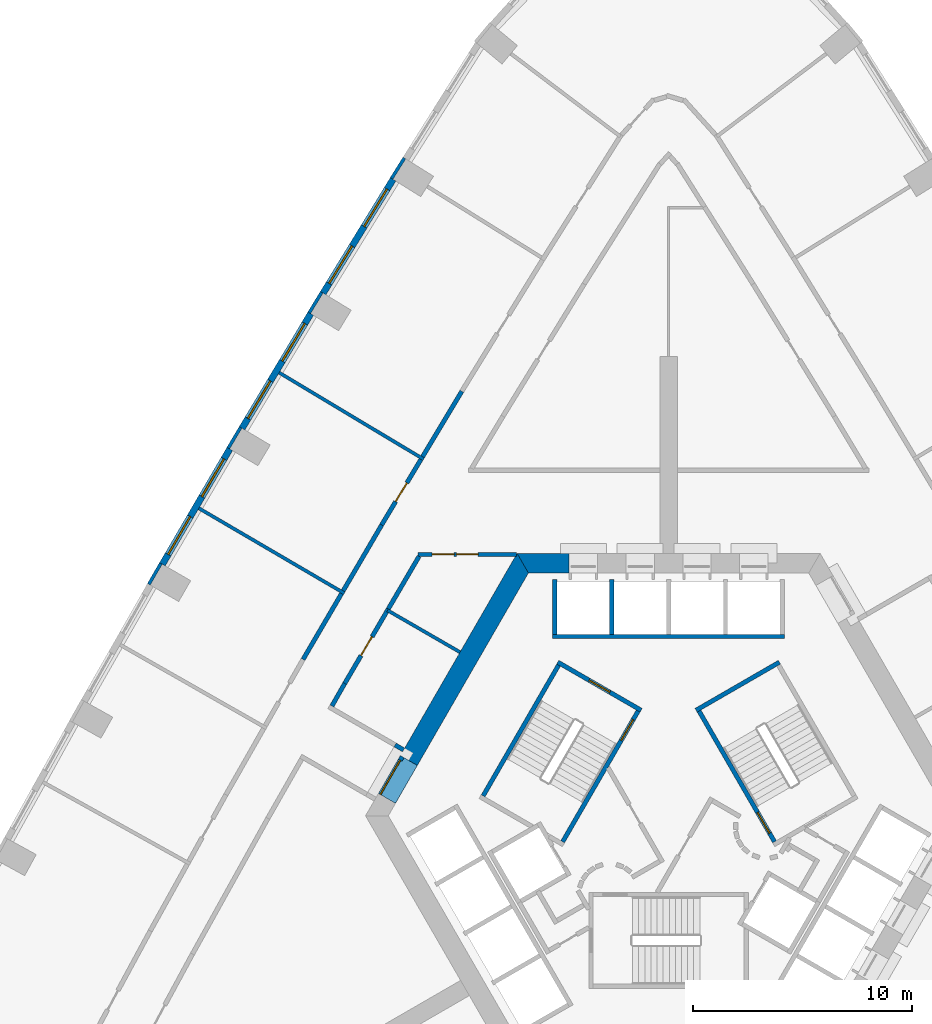
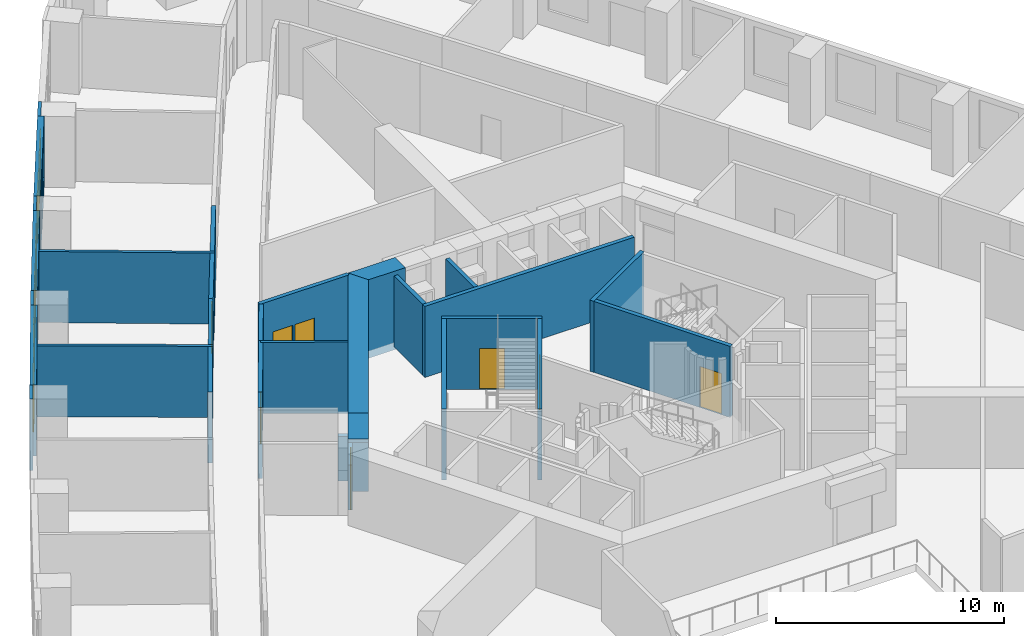
# One storey, part 8 of 15: 31 walls, 8 doors, 6 windows, 14 openings.
"""IFC4 building model written with IfcOpenShell, lengths in metres."""

from ifc_helpers import new_model, si_unit, direction, frame, frame_2d, origin, place, context, subcontext, project, spatial, polyline, rectangle, outline, extrude, material, layer, layer_set, type_object, element, fill, save


model = new_model("IFC4")

# Units and contexts
model_context = context("Model", 3, precision=1e-05, world=origin(), true_north=direction((0.0, 1.0)))
body_context = subcontext(model_context, "Body", "Model", "MODEL_VIEW")
ifc_project = project(units=[si_unit("LENGTHUNIT", "METRE"), si_unit("AREAUNIT", "SQUARE_METRE"), si_unit("VOLUMEUNIT", "CUBIC_METRE"), si_unit("PLANEANGLEUNIT", "RADIAN"), si_unit("MASSUNIT", "GRAM", prefix="KILO")], contexts=[model_context])

# Site, building, storey
site_placement = place(None, origin())
site = spatial("IfcSite", under=ifc_project, at=site_placement, CompositionType="ELEMENT")
building_placement = place(site_placement, origin())
building = spatial("IfcBuilding", under=site, at=building_placement, Name="Entoto Arch Interchange Tower", CompositionType="ELEMENT")
storey_placement = place(building_placement, frame((0.0, 0.0, 111.800048828125)))
storey = spatial("IfcBuildingStorey", under=building, at=storey_placement, Name="L24", CompositionType="ELEMENT", Elevation=111.800048828125)

# Wall, opening, door
ifc_material_1 = material(Name="Reinforced concrete C40/50", Category="concrete")
ifc_layer_1 = layer(ifc_material_1, 0.199951171875)
ifc_layer_set_1 = layer_set([ifc_layer_1], Name="Reinforced concrete C40/50")
wall_type_1 = type_object("IfcWallType", Name="CORE GAP INFILL WALL", PredefinedType="PARTITIONING", material=ifc_layer_set_1)
wall_1_placement = place(storey_placement, frame((-12.179931640625, 5.201904296875, 0.0), z_axis=(0.0, 0.0, 1.0), x_axis=(-0.50002537861, -0.866010750942, 0.0)))
wall_1 = element("IfcWall", 1, at=wall_1_placement, inside=storey, type_object=wall_type_1, Name="wall:L24:gap3", PredefinedType="PARTITIONING", context=body_context, shape_type="SweptSolid", body=[
    extrude(rectangle(XDim=2.0, YDim=0.199951171875, at=frame_2d((1.0, 0.0))), origin(), (0.0, 0.0, 1.0), 2.39990234375),
])
opening_1_placement = place(wall_1_placement, frame((0.18994140625, 0.0, 0.0)))
opening_1 = element("IfcOpeningElement", 2, at=opening_1_placement, cuts=wall_1, Name="Opening L24-D93", PredefinedType="OPENING", context=body_context, shape_type="SweptSolid", body=[
    extrude(rectangle(XDim=1.800048828125, YDim=2.10009765625, at=frame_2d((0.89990234375, 1.050048828125))), frame((0.0, 0.10986328125, 0.0), z_axis=(0.0, -1.0, 0.0), x_axis=(1.0, 0.0, 0.0)), (0.0, 0.0, 1.0), 0.219970703125),
])
ifc_material_2 = material(Name="Fire-rated Steel S235 door and frame", Category="steel")
door_type_1 = type_object("IfcDoorType", Name="DOOR FD-18 1800x2100", OperationType="DOUBLE_DOOR_SINGLE_SWING", PredefinedType="DOOR", material=ifc_material_2)
door_1_placement = place(opening_1_placement, origin())
door_1 = element("IfcDoor", 3, at=door_1_placement, inside=storey, type_object=door_type_1, Name="door:L24:gap3", OperationType="DOUBLE_DOOR_SINGLE_SWING", OverallHeight=2.10009765625, OverallWidth=1.800048828125, PredefinedType="DOOR", context=body_context, shape_type="SweptSolid", body=[
    extrude(rectangle(XDim=1.800048828125, YDim=2.10009765625, at=frame_2d((0.89990234375, 1.050048828125))), frame((0.0, 0.02490234375, 0.0), z_axis=(0.0, -1.0, 0.0), x_axis=(1.0, 0.0, 0.0)), (0.0, 0.0, 1.0), 0.050048828125),
])
fill(opening_1, door_1)

# Walls
ifc_material_3 = material(Name="Concrete C60/75", Category="concrete")
ifc_layer_2 = layer(ifc_material_3, 0.89990234375)
ifc_layer_set_2 = layer_set([ifc_layer_2], Name="Concrete C60/75")
wall_type_2 = type_object("IfcWallType", Name="Core wall 900 C60/75", PredefinedType="SHEAR", material=ifc_layer_set_2)
wall_2_placement = place(storey_placement, frame((0.0, 0.0, -0.400146484375)))
element("IfcWall", 4, at=wall_2_placement, inside=storey, type_object=wall_type_2, Name="Core wall N L24", PredefinedType="SHEAR", context=body_context, shape_type="SweptSolid", body=[
    extrude(outline(polyline([(-4.550048828125, 13.60009765625), (-4.550048828125, 14.5), (-6.927978515625, 14.5), (-6.408935546875, 13.60009765625), (-4.550048828125, 13.60009765625)])), origin(), (0.0, 0.0, 1.0), 4.2001953125),
])
wall_3_placement = place(storey_placement, frame((0.0, 0.0, -0.400146484375)))
element("IfcWall", 5, at=wall_3_placement, inside=storey, type_object=wall_type_2, Name="Core wall NW L24", PredefinedType="SHEAR", context=body_context, shape_type="SweptSolid", body=[
    extrude(outline(polyline([(-12.26708984375, 5.251953125), (-11.488037109375, 4.802001953125), (-6.408935546875, 13.60009765625), (-6.927978515625, 14.5), (-12.26708984375, 5.251953125)])), origin(), (0.0, 0.0, 1.0), 4.2001953125),
])
wall_4_placement = place(storey_placement, frame((0.0, 0.0, 3.599853515625)))
element("IfcWall", 6, at=wall_4_placement, inside=storey, type_object=wall_type_2, Name="Core wall lintel NW L24", PredefinedType="SHEAR", context=body_context, shape_type="SweptSolid", body=[
    extrude(outline(polyline([(-13.26708984375, 3.52001953125), (-12.488037109375, 3.070068359375), (-11.488037109375, 4.802001953125), (-12.26708984375, 5.251953125), (-13.26708984375, 3.52001953125)])), origin(), (0.0, 0.0, 1.0), 0.2001953125),
])
ifc_material_4 = material(Name="Concrete C40/50", Category="concrete")
ifc_layer_3 = layer(ifc_material_4, 0.199951171875)
ifc_layer_set_3 = layer_set([ifc_layer_3], Name="Concrete C40/50")
wall_type_3 = type_object("IfcWallType", Name="LIFT SHAFT WALL 200", PredefinedType="STANDARD", material=ifc_layer_set_3)
wall_5_placement = place(storey_placement, frame((5.300048828125, 10.699951171875, 0.0), z_axis=(0.0, 0.0, 1.0), x_axis=(-1.0, 0.0, 0.0)))
element("IfcWall", 7, at=wall_5_placement, inside=storey, type_object=wall_type_3, Name="Shaft wall N3 front", PredefinedType="STANDARD", context=body_context, shape_type="SweptSolid", body=[
    extrude(rectangle(XDim=10.60009765625, YDim=0.199951171875, at=frame_2d((5.300048828125, 0.0))), origin(), (0.0, 0.0, 1.0), 3.800048828125),
])
for number, where, z_axis, x_axis, name in (
    (8, (-2.60009765625, 10.800048828125, 0.0), (0.0, 0.0, 1.0), (0.0, 1.0, 0.0), "Shaft wall N3 cross 4"),
    (9, (-5.199951171875, 10.800048828125, 0.0), (0.0, 0.0, 1.0), (0.0, 1.0, 0.0), "Shaft wall N3 cross 5"),
):
    element("IfcWall", number, at=place(storey_placement, frame(where, z_axis=z_axis, x_axis=x_axis)), inside=storey, type_object=wall_type_3, Name=name, PredefinedType="STANDARD", context=body_context, shape_type="SweptSolid", body=[
        extrude(rectangle(XDim=2.5, YDim=0.199951171875, at=frame_2d((1.25, 0.0))), origin(), (0.0, 0.0, 1.0), 3.800048828125),
    ])
ifc_material_5 = material(Name="Gypsum board partition on steel studs", Category="steel")
ifc_layer_4 = layer(ifc_material_5, 0.14990234375)
ifc_layer_set_4 = layer_set([ifc_layer_4], Name="Gypsum board partition on steel studs")
wall_type_4 = type_object("IfcWallType", Name="PARTITION 150", PredefinedType="PARTITIONING", material=ifc_layer_set_4)
wall_6_placement = place(storey_placement, frame((-9.537109375, 9.98095703125, 0.0), z_axis=(0.0, 0.0, 1.0), x_axis=(-0.866068787954, 0.499924848885, 0.0)))
element("IfcWall", 10, at=wall_6_placement, inside=storey, type_object=wall_type_4, Name="wall:L24:p089", PredefinedType="PARTITIONING", context=body_context, shape_type="SweptSolid", body=[
    extrude(rectangle(XDim=3.82861328125, YDim=0.14990234375, at=frame_2d((1.914306640625, 0.0))), origin(), (0.0, 0.0, 1.0), 3.800048828125),
])
wall_7_placement = place(storey_placement, frame((-11.201904296875, 18.802978515625, 0.0), z_axis=(0.0, 0.0, 1.0), x_axis=(-0.857778149162, 0.514020084062, 0.0)))
element("IfcWall", 11, at=wall_7_placement, inside=storey, type_object=wall_type_4, Name="wall:L24:p128", PredefinedType="PARTITIONING", context=body_context, shape_type="SweptSolid", body=[
    extrude(rectangle(XDim=7.7001953125, YDim=0.14990234375, at=frame_2d((3.85009765625, 0.0))), origin(), (0.0, 0.0, 1.0), 3.800048828125),
])
wall_8_placement = place(storey_placement, frame((-14.830078125, 12.674072265625, 0.0), z_axis=(0.0, 0.0, 1.0), x_axis=(-0.863237916953, 0.504797284794, 0.0)))
element("IfcWall", 12, at=wall_8_placement, inside=storey, type_object=wall_type_4, Name="wall:L24:p129", PredefinedType="PARTITIONING", context=body_context, shape_type="SweptSolid", body=[
    extrude(rectangle(XDim=7.699951171875, YDim=0.14990234375, at=frame_2d((3.85009765625, 0.0))), origin(), (0.0, 0.0, 1.0), 3.800048828125),
])
ifc_layer_5 = layer(ifc_material_5, 0.199951171875)
ifc_layer_set_5 = layer_set([ifc_layer_5], Name="Gypsum board partition on steel studs")
wall_type_5 = type_object("IfcWallType", Name="PARTITION 200", PredefinedType="PARTITIONING", material=ifc_layer_set_5)
wall_9_placement = place(storey_placement, frame((-11.408935546875, 14.364013671875, 0.0), z_axis=(0.0, 0.0, 1.0), x_axis=(-0.504846343003, -0.863209227219, 0.0)))
element("IfcWall", 13, at=wall_9_placement, inside=storey, type_object=wall_type_5, Name="wall:L24:p001", PredefinedType="PARTITIONING", context=body_context, shape_type="SweptSolid", body=[
    extrude(rectangle(XDim=2.784912109375, YDim=0.199951171875, at=frame_2d((1.392578125, 0.0))), origin(), (0.0, 0.0, 1.0), 3.800048828125),
])

# Wall, opening, door
wall_10_placement = place(storey_placement, frame((-12.81494140625, 11.9599609375, 0.0), z_axis=(0.0, 0.0, 1.0), x_axis=(-0.5048198861, -0.863224699946, 0.0)))
wall_10 = element("IfcWall", 14, at=wall_10_placement, inside=storey, type_object=wall_type_5, Name="wall:L24:p002", PredefinedType="PARTITIONING", context=body_context, shape_type="SweptSolid", body=[
    extrude(rectangle(XDim=3.9501953125, YDim=0.199951171875, at=frame_2d((1.97509765625, 0.0))), origin(), (0.0, 0.0, 1.0), 3.800048828125),
])
opening_2_placement = place(wall_10_placement, frame((1.47509765625, 0.0, 0.0)))
opening_2 = element("IfcOpeningElement", 15, at=opening_2_placement, cuts=wall_10, Name="Opening L24-D25", PredefinedType="OPENING", context=body_context, shape_type="SweptSolid", body=[
    extrude(rectangle(XDim=1.0, YDim=2.10009765625, at=frame_2d((0.5, 1.050048828125))), frame((0.0, 0.10986328125, 0.0), z_axis=(0.0, -1.0, 0.0), x_axis=(1.0, 0.0, 0.0)), (0.0, 0.0, 1.0), 0.219970703125),
])
ifc_material_6 = material(Name="Timber door leaf in Steel S235 frame", Category="steel")
door_type_2 = type_object("IfcDoorType", Name="DOOR DS-10 1000x2100", OperationType="SINGLE_SWING_LEFT", PredefinedType="DOOR", material=ifc_material_6)
door_2_placement = place(opening_2_placement, origin())
door_2 = element("IfcDoor", 16, at=door_2_placement, inside=storey, type_object=door_type_2, Name="door:L24:25", OperationType="SINGLE_SWING_RIGHT", OverallHeight=2.10009765625, OverallWidth=1.0, PredefinedType="DOOR", context=body_context, shape_type="SweptSolid", body=[
    extrude(rectangle(XDim=1.0, YDim=2.10009765625, at=frame_2d((0.5, 1.050048828125))), frame((0.0, 0.02490234375, 0.0), z_axis=(0.0, -1.0, 0.0), x_axis=(1.0, 0.0, 0.0)), (0.0, 0.0, 1.0), 0.050048828125),
])
fill(opening_2, door_2)

# Walls
wall_11_placement = place(storey_placement, frame((-14.80908203125, 8.550048828125, 0.0), z_axis=(0.0, 0.0, 1.0), x_axis=(-0.495074026382, -0.868850797549, 0.0)))
element("IfcWall", 17, at=wall_11_placement, inside=storey, type_object=wall_type_5, Name="wall:L24:p003", PredefinedType="PARTITIONING", context=body_context, shape_type="SweptSolid", body=[
    extrude(rectangle(XDim=1.185546875, YDim=0.199951171875, at=frame_2d((0.5927734375, 0.0))), origin(), (0.0, 0.0, 1.0), 3.800048828125),
])
for number, where, z_axis, x_axis, name in (
    (18, (-11.2490234375, 18.91796875, 0.0), (0.0, 0.0, 1.0), (0.513949903813, 0.857820200491, 0.0), "wall:L24:p058"),
    (19, (-14.87890625, 12.7890625, 0.0), (0.0, 0.0, 1.0), (0.504763220102, 0.863257836126, 0.0), "wall:L24:p060"),
):
    element("IfcWall", number, at=place(storey_placement, frame(where, z_axis=z_axis, x_axis=x_axis)), inside=storey, type_object=wall_type_5, Name=name, PredefinedType="PARTITIONING", context=body_context, shape_type="SweptSolid", body=[
        extrude(rectangle(XDim=3.48681640625, YDim=0.199951171875, at=frame_2d((1.743408203125, 0.0))), origin(), (0.0, 0.0, 1.0), 3.800048828125),
    ])

# Wall, opening, door
wall_12_placement = place(storey_placement, frame((-13.118896484375, 15.799072265625, 0.0), z_axis=(0.0, 0.0, 1.0), x_axis=(0.514155958966, 0.857696712049, 0.0)))
wall_12 = element("IfcWall", 20, at=wall_12_placement, inside=storey, type_object=wall_type_5, Name="wall:L24:p061", PredefinedType="PARTITIONING", context=body_context, shape_type="SweptSolid", body=[
    extrude(rectangle(XDim=3.4873046875, YDim=0.199951171875, at=frame_2d((1.74365234375, 0.0))), origin(), (0.0, 0.0, 1.0), 3.800048828125),
])
opening_3_placement = place(wall_12_placement, frame((1.243896484375, 0.0, 0.0)))
opening_3 = element("IfcOpeningElement", 21, at=opening_3_placement, cuts=wall_12, Name="Opening L24-D11", PredefinedType="OPENING", context=body_context, shape_type="SweptSolid", body=[
    extrude(rectangle(XDim=1.0, YDim=2.10009765625, at=frame_2d((0.5, 1.050048828125))), frame((0.0, 0.10986328125, 0.0), z_axis=(0.0, -1.0, 0.0), x_axis=(1.0, 0.0, 0.0)), (0.0, 0.0, 1.0), 0.219970703125),
])
door_3_placement = place(opening_3_placement, origin())
door_3 = element("IfcDoor", 22, at=door_3_placement, inside=storey, type_object=door_type_2, Name="door:L24:11", OperationType="SINGLE_SWING_LEFT", OverallHeight=2.10009765625, OverallWidth=1.0, PredefinedType="DOOR", context=body_context, shape_type="SweptSolid", body=[
    extrude(rectangle(XDim=1.0, YDim=2.10009765625, at=frame_2d((0.5, 1.050048828125))), frame((0.0, 0.02490234375, 0.0), z_axis=(0.0, -1.0, 0.0), x_axis=(1.0, 0.0, 0.0)), (0.0, 0.0, 1.0), 0.050048828125),
])
fill(opening_3, door_3)

# Wall
wall_13_placement = place(storey_placement, frame((-16.714111328125, 9.64990234375, 0.0), z_axis=(0.0, 0.0, 1.0), x_axis=(0.504885284202, 0.863186451351, 0.0)))
element("IfcWall", 23, at=wall_13_placement, inside=storey, type_object=wall_type_5, Name="wall:L24:p063", PredefinedType="PARTITIONING", context=body_context, shape_type="SweptSolid", body=[
    extrude(rectangle(XDim=3.48583984375, YDim=0.199951171875, at=frame_2d((1.742919921875, 0.0))), origin(), (0.0, 0.0, 1.0), 3.800048828125),
])

# Wall, openings, doors
wall_14_placement = place(storey_placement, frame((-6.95703125, 14.449951171875, 0.0), z_axis=(0.0, 0.0, 1.0), x_axis=(-1.0, 0.0, 0.0)))
wall_14 = element("IfcWall", 24, at=wall_14_placement, inside=storey, type_object=wall_type_5, Name="wall:L24:p090", PredefinedType="PARTITIONING", context=body_context, shape_type="SweptSolid", body=[
    extrude(rectangle(XDim=4.501953125, YDim=0.199951171875, at=frame_2d((2.2509765625, 0.0))), origin(), (0.0, 0.0, 1.0), 3.800048828125),
])
opening_4_placement = place(wall_14_placement, frame((1.7509765625, 0.0, 0.0)))
opening_4 = element("IfcOpeningElement", 25, at=opening_4_placement, cuts=wall_14, Name="Opening L24-D24", PredefinedType="OPENING", context=body_context, shape_type="SweptSolid", body=[
    extrude(rectangle(XDim=1.0, YDim=2.10009765625, at=frame_2d((0.5, 1.050048828125))), frame((0.0, 0.10986328125, 0.0), z_axis=(0.0, -1.0, 0.0), x_axis=(1.0, 0.0, 0.0)), (0.0, 0.0, 1.0), 0.219970703125),
])
opening_5_placement = place(wall_14_placement, frame((2.85107421875, 0.0, 0.0)))
opening_5 = element("IfcOpeningElement", 26, at=opening_5_placement, cuts=wall_14, Name="Opening L24-D32", PredefinedType="OPENING", context=body_context, shape_type="SweptSolid", body=[
    extrude(rectangle(XDim=1.0, YDim=2.10009765625, at=frame_2d((0.5, 1.050048828125))), frame((0.0, 0.10986328125, 0.0), z_axis=(0.0, -1.0, 0.0), x_axis=(1.0, 0.0, 0.0)), (0.0, 0.0, 1.0), 0.219970703125),
])
door_4_placement = place(opening_4_placement, origin())
door_4 = element("IfcDoor", 27, at=door_4_placement, inside=storey, type_object=door_type_2, Name="door:L24:24", OperationType="SINGLE_SWING_LEFT", OverallHeight=2.10009765625, OverallWidth=1.0, PredefinedType="DOOR", context=body_context, shape_type="SweptSolid", body=[
    extrude(rectangle(XDim=1.0, YDim=2.10009765625, at=frame_2d((0.5, 1.050048828125))), frame((0.0, 0.02490234375, 0.0), z_axis=(0.0, -1.0, 0.0), x_axis=(1.0, 0.0, 0.0)), (0.0, 0.0, 1.0), 0.050048828125),
])
fill(opening_4, door_4)
door_5_placement = place(opening_5_placement, origin())
door_5 = element("IfcDoor", 28, at=door_5_placement, inside=storey, type_object=door_type_2, Name="door:L24:32", OperationType="SINGLE_SWING_RIGHT", OverallHeight=2.10009765625, OverallWidth=1.0, PredefinedType="DOOR", context=body_context, shape_type="SweptSolid", body=[
    extrude(rectangle(XDim=1.0, YDim=2.10009765625, at=frame_2d((0.5, 1.050048828125))), frame((0.0, 0.02490234375, 0.0), z_axis=(0.0, -1.0, 0.0), x_axis=(1.0, 0.0, 0.0)), (0.0, 0.0, 1.0), 0.050048828125),
])
fill(opening_5, door_5)

# Walls
wall_15_placement = place(storey_placement, frame((-12.506103515625, 5.737060546875, 0.0), z_axis=(0.0, 0.0, 1.0), x_axis=(0.865624510465, -0.500693725627, 0.0)))
element("IfcWall", 29, at=wall_15_placement, inside=storey, type_object=wall_type_5, Name="wall:L24:p004", PredefinedType="PARTITIONING", context=body_context, shape_type="SweptSolid", body=[
    extrude(rectangle(XDim=0.449462890625, YDim=0.199951171875, at=frame_2d((0.224609375, 0.0))), origin(), (0.0, 0.0, 1.0), 2.39990234375),
])
ifc_layer_6 = layer(ifc_material_4, 0.199951171875)
ifc_layer_set_6 = layer_set([ifc_layer_6], Name="Concrete C40/50")
wall_type_6 = type_object("IfcWallType", Name="STAIR ENCLOSURE WALL 200", PredefinedType="STANDARD", material=ifc_layer_set_6)
wall_16_placement = place(storey_placement, frame((1.256103515625, 7.323974609375, 0.0), z_axis=(0.0, 0.0, 1.0), x_axis=(0.866046073146, 0.499964197906, 0.0)))
element("IfcWall", 30, at=wall_16_placement, inside=storey, type_object=wall_type_6, Name="Stair wall ST-NE far", PredefinedType="STANDARD", context=body_context, shape_type="SweptSolid", body=[
    extrude(rectangle(XDim=4.400146484375, YDim=0.199951171875, at=frame_2d((2.2001953125, 0.0))), origin(), (0.0, 0.0, 1.0), 3.800048828125),
])

# Wall, opening, door
wall_17_placement = place(storey_placement, frame((4.843017578125, 1.31201171875, 0.0), z_axis=(0.0, 0.0, 1.0), x_axis=(-0.499963383562, 0.866046543262, 0.0)))
wall_17 = element("IfcWall", 31, at=wall_17_placement, inside=storey, type_object=wall_type_6, Name="Stair wall ST-NE hall", PredefinedType="STANDARD", context=body_context, shape_type="SweptSolid", body=[
    extrude(rectangle(XDim=6.900390625, YDim=0.199951171875, at=frame_2d((3.4501953125, 0.0))), origin(), (0.0, 0.0, 1.0), 3.800048828125),
])
opening_6_placement = place(wall_17_placement, frame((0.449951171875, 0.0, 0.0)))
opening_6 = element("IfcOpeningElement", 32, at=opening_6_placement, cuts=wall_17, Name="Opening SD-ST-NE-L24", PredefinedType="OPENING", context=body_context, shape_type="SweptSolid", body=[
    extrude(rectangle(XDim=1.10009765625, YDim=2.199951171875, at=frame_2d((0.550048828125, 1.10009765625))), frame((0.0, 0.10986328125, 0.0), z_axis=(0.0, -1.0, 0.0), x_axis=(1.0, 0.0, 0.0)), (0.0, 0.0, 1.0), 0.219970703125),
])
ifc_material_7 = material(Name="Steel S235", Category="steel")
door_type_3 = type_object("IfcDoorType", Name="STAIR DOOR SD1 1100x2200", OperationType="SINGLE_SWING_LEFT", PredefinedType="DOOR", material=ifc_material_7)
door_6_placement = place(opening_6_placement, origin())
door_6 = element("IfcDoor", 33, at=door_6_placement, inside=storey, type_object=door_type_3, Name="Stair door ST-NE L24", OperationType="SINGLE_SWING_LEFT", OverallHeight=2.199951171875, OverallWidth=1.10009765625, PredefinedType="DOOR", context=body_context, shape_type="SweptSolid", body=[
    extrude(rectangle(XDim=1.10009765625, YDim=2.199951171875, at=frame_2d((0.550048828125, 1.10009765625))), frame((0.0, 0.02490234375, 0.0), z_axis=(0.0, -1.0, 0.0), x_axis=(1.0, 0.0, 0.0)), (0.0, 0.0, 1.0), 0.050048828125),
])
fill(opening_6, door_6)

wall_18_placement = place(storey_placement, frame((-1.256103515625, 7.323974609375, 0.0), z_axis=(0.0, 0.0, 1.0), x_axis=(-0.866046073146, 0.499964197906, 0.0)))
wall_18 = element("IfcWall", 34, at=wall_18_placement, inside=storey, type_object=wall_type_6, Name="Stair wall ST-NW near", PredefinedType="STANDARD", context=body_context, shape_type="SweptSolid", body=[
    extrude(rectangle(XDim=4.400146484375, YDim=0.199951171875, at=frame_2d((2.2001953125, 0.0))), origin(), (0.0, 0.0, 1.0), 3.800048828125),
])
opening_7_placement = place(wall_18_placement, frame((1.64990234375, 0.0, 0.0)))
opening_7 = element("IfcOpeningElement", 35, at=opening_7_placement, cuts=wall_18, Name="Opening SD-ST-NW-L24-E", PredefinedType="OPENING", context=body_context, shape_type="SweptSolid", body=[
    extrude(rectangle(XDim=1.10009765625, YDim=2.199951171875, at=frame_2d((0.550048828125, 1.10009765625))), frame((0.0, 0.10986328125, 0.0), z_axis=(0.0, -1.0, 0.0), x_axis=(1.0, 0.0, 0.0)), (0.0, 0.0, 1.0), 0.219970703125),
])
door_7_placement = place(opening_7_placement, origin())
door_7 = element("IfcDoor", 36, at=door_7_placement, inside=storey, type_object=door_type_3, Name="Stair door ST-NW L24 end", OperationType="SINGLE_SWING_LEFT", OverallHeight=2.199951171875, OverallWidth=1.10009765625, PredefinedType="DOOR", context=body_context, shape_type="SweptSolid", body=[
    extrude(rectangle(XDim=1.10009765625, YDim=2.199951171875, at=frame_2d((0.550048828125, 1.10009765625))), frame((0.0, 0.02490234375, 0.0), z_axis=(0.0, -1.0, 0.0), x_axis=(1.0, 0.0, 0.0)), (0.0, 0.0, 1.0), 0.050048828125),
])
fill(opening_7, door_7)

wall_19_placement = place(storey_placement, frame((-1.39306640625, 7.2880859375, 0.0), z_axis=(0.0, 0.0, 1.0), x_axis=(-0.499963383562, -0.866046543262, 0.0)))
wall_19 = element("IfcWall", 37, at=wall_19_placement, inside=storey, type_object=wall_type_6, Name="Stair wall ST-NW hall", PredefinedType="STANDARD", context=body_context, shape_type="SweptSolid", body=[
    extrude(rectangle(XDim=6.900390625, YDim=0.199951171875, at=frame_2d((3.4501953125, 0.0))), origin(), (0.0, 0.0, 1.0), 3.800048828125),
])
opening_8_placement = place(wall_19_placement, frame((0.449951171875, 0.0, 0.0)))
opening_8 = element("IfcOpeningElement", 38, at=opening_8_placement, cuts=wall_19, Name="Opening SD-ST-NW-L24", PredefinedType="OPENING", context=body_context, shape_type="SweptSolid", body=[
    extrude(rectangle(XDim=1.10009765625, YDim=2.199951171875, at=frame_2d((0.550048828125, 1.10009765625))), frame((0.0, 0.10986328125, 0.0), z_axis=(0.0, -1.0, 0.0), x_axis=(1.0, 0.0, 0.0)), (0.0, 0.0, 1.0), 0.219970703125),
])
door_8_placement = place(opening_8_placement, origin())
door_8 = element("IfcDoor", 39, at=door_8_placement, inside=storey, type_object=door_type_3, Name="Stair door ST-NW L24", OperationType="SINGLE_SWING_LEFT", OverallHeight=2.199951171875, OverallWidth=1.10009765625, PredefinedType="DOOR", context=body_context, shape_type="SweptSolid", body=[
    extrude(rectangle(XDim=1.10009765625, YDim=2.199951171875, at=frame_2d((0.550048828125, 1.10009765625))), frame((0.0, 0.02490234375, 0.0), z_axis=(0.0, -1.0, 0.0), x_axis=(1.0, 0.0, 0.0)), (0.0, 0.0, 1.0), 0.050048828125),
])
fill(opening_8, door_8)

# Wall
wall_20_placement = place(storey_placement, frame((-5.030029296875, 9.387939453125, 0.0), z_axis=(0.0, 0.0, 1.0), x_axis=(-0.499978703459, -0.866037698999, 0.0)))
element("IfcWall", 40, at=wall_20_placement, inside=storey, type_object=wall_type_6, Name="Stair wall ST-NW back", PredefinedType="STANDARD", context=body_context, shape_type="SweptSolid", body=[
    extrude(rectangle(XDim=6.900146484375, YDim=0.199951171875, at=frame_2d((3.4501953125, 0.0))), origin(), (0.0, 0.0, 1.0), 3.800048828125),
])

# Wall, openings, windows
ifc_material_8 = material(Name="Welded tuff (ignimbrite) cladding, warm buff", Category="masonry")
ifc_layer_7 = layer(ifc_material_8, 0.300048828125)
ifc_layer_set_7 = layer_set([ifc_layer_7], Name="Welded tuff (ignimbrite) cladding, warm buff")
wall_type_7 = type_object("IfcWallType", Name="STONE INFILL WALL 300", PredefinedType="STANDARD", material=ifc_layer_set_7)
wall_21_placement = place(storey_placement, frame((-12.597900390625, 31.60302734375, 0.0), z_axis=(0.0, 0.0, 1.0), x_axis=(-0.523417276981, -0.852076495485, 0.0)))
wall_21 = element("IfcWall", 41, at=wall_21_placement, inside=storey, type_object=wall_type_7, Name="Facade wall NW-02 L24", PredefinedType="STANDARD", context=body_context, shape_type="SweptSolid", body=[
    extrude(rectangle(XDim=6.10986328125, YDim=0.300048828125, at=frame_2d((3.054931640625, 0.0))), origin(), (0.0, 0.0, 1.0), 3.800048828125),
])
opening_9_placement = place(wall_21_placement, frame((0.527099609375, 0.0, 0.89990234375)))
opening_9 = element("IfcOpeningElement", 42, at=opening_9_placement, cuts=wall_21, Name="Opening WO-C", PredefinedType="OPENING", context=body_context, shape_type="SweptSolid", body=[
    extrude(rectangle(XDim=2.0, YDim=2.60009765625, at=frame_2d((1.0, 1.300048828125))), frame((0.0, 0.16015625, 0.0), z_axis=(0.0, -1.0, 0.0), x_axis=(1.0, 0.0, 0.0)), (0.0, 0.0, 1.0), 0.320068359375),
])
opening_10_placement = place(wall_21_placement, frame((3.58203125, 0.0, 0.89990234375)))
opening_10 = element("IfcOpeningElement", 43, at=opening_10_placement, cuts=wall_21, Name="Opening WO-C", PredefinedType="OPENING", context=body_context, shape_type="SweptSolid", body=[
    extrude(rectangle(XDim=2.0, YDim=2.60009765625, at=frame_2d((1.0, 1.300048828125))), frame((0.0, 0.16015625, 0.0), z_axis=(0.0, -1.0, 0.0), x_axis=(1.0, 0.0, 0.0)), (0.0, 0.0, 1.0), 0.320068359375),
])
ifc_material_9 = material(Name="Clear glass, low-e double glazed", Category="glass")
window_type = type_object("IfcWindowType", Name="WINDOW WO-C 2000x2600", PartitioningType="DOUBLE_PANEL_VERTICAL", PredefinedType="WINDOW", material=ifc_material_9)
window_1_placement = place(opening_9_placement, origin())
window_1 = element("IfcWindow", 44, at=window_1_placement, inside=storey, type_object=window_type, Name="Window WO-C NW-02 L24", OverallHeight=2.60009765625, OverallWidth=2.0, PartitioningType="SINGLE_PANEL", PredefinedType="WINDOW", context=body_context, shape_type="SweptSolid", body=[
    extrude(rectangle(XDim=2.0, YDim=2.60009765625, at=frame_2d((1.0, 1.300048828125))), frame((0.0, 0.030029296875, 0.0), z_axis=(0.0, -1.0, 0.0), x_axis=(1.0, 0.0, 0.0)), (0.0, 0.0, 1.0), 0.06005859375),
])
fill(opening_9, window_1)
window_2_placement = place(opening_10_placement, origin())
window_2 = element("IfcWindow", 45, at=window_2_placement, inside=storey, type_object=window_type, Name="Window WO-C NW-02 L24", OverallHeight=2.60009765625, OverallWidth=2.0, PartitioningType="SINGLE_PANEL", PredefinedType="WINDOW", context=body_context, shape_type="SweptSolid", body=[
    extrude(rectangle(XDim=2.0, YDim=2.60009765625, at=frame_2d((1.0, 1.300048828125))), frame((0.0, 0.030029296875, 0.0), z_axis=(0.0, -1.0, 0.0), x_axis=(1.0, 0.0, 0.0)), (0.0, 0.0, 1.0), 0.06005859375),
])
fill(opening_10, window_2)

wall_22_placement = place(storey_placement, frame((-16.364990234375, 25.4580078125, 0.0), z_axis=(0.0, 0.0, 1.0), x_axis=(-0.514078503149, -0.857743139057, 0.0)))
wall_22 = element("IfcWall", 46, at=wall_22_placement, inside=storey, type_object=wall_type_7, Name="Facade wall NW-03 L24", PredefinedType="STANDARD", context=body_context, shape_type="SweptSolid", body=[
    extrude(rectangle(XDim=6.110107421875, YDim=0.300048828125, at=frame_2d((3.05517578125, 0.0))), origin(), (0.0, 0.0, 1.0), 3.800048828125),
])
opening_11_placement = place(wall_22_placement, frame((0.528076171875, 0.0, 0.89990234375)))
opening_11 = element("IfcOpeningElement", 47, at=opening_11_placement, cuts=wall_22, Name="Opening WO-C", PredefinedType="OPENING", context=body_context, shape_type="SweptSolid", body=[
    extrude(rectangle(XDim=2.0, YDim=2.60009765625, at=frame_2d((1.0, 1.300048828125))), frame((0.0, 0.16015625, 0.0), z_axis=(0.0, -1.0, 0.0), x_axis=(1.0, 0.0, 0.0)), (0.0, 0.0, 1.0), 0.320068359375),
])
opening_12_placement = place(wall_22_placement, frame((3.5830078125, 0.0, 0.89990234375)))
opening_12 = element("IfcOpeningElement", 48, at=opening_12_placement, cuts=wall_22, Name="Opening WO-C", PredefinedType="OPENING", context=body_context, shape_type="SweptSolid", body=[
    extrude(rectangle(XDim=2.0, YDim=2.60009765625, at=frame_2d((1.0, 1.300048828125))), frame((0.0, 0.16015625, 0.0), z_axis=(0.0, -1.0, 0.0), x_axis=(1.0, 0.0, 0.0)), (0.0, 0.0, 1.0), 0.320068359375),
])
window_3_placement = place(opening_11_placement, origin())
window_3 = element("IfcWindow", 49, at=window_3_placement, inside=storey, type_object=window_type, Name="Window WO-C NW-03 L24", OverallHeight=2.60009765625, OverallWidth=2.0, PartitioningType="SINGLE_PANEL", PredefinedType="WINDOW", context=body_context, shape_type="SweptSolid", body=[
    extrude(rectangle(XDim=2.0, YDim=2.60009765625, at=frame_2d((1.0, 1.300048828125))), frame((0.0, 0.030029296875, 0.0), z_axis=(0.0, -1.0, 0.0), x_axis=(1.0, 0.0, 0.0)), (0.0, 0.0, 1.0), 0.06005859375),
])
fill(opening_11, window_3)
window_4_placement = place(opening_12_placement, origin())
window_4 = element("IfcWindow", 50, at=window_4_placement, inside=storey, type_object=window_type, Name="Window WO-C NW-03 L24", OverallHeight=2.60009765625, OverallWidth=2.0, PartitioningType="SINGLE_PANEL", PredefinedType="WINDOW", context=body_context, shape_type="SweptSolid", body=[
    extrude(rectangle(XDim=2.0, YDim=2.60009765625, at=frame_2d((1.0, 1.300048828125))), frame((0.0, 0.030029296875, 0.0), z_axis=(0.0, -1.0, 0.0), x_axis=(1.0, 0.0, 0.0)), (0.0, 0.0, 1.0), 0.06005859375),
])
fill(opening_12, window_4)

wall_23_placement = place(storey_placement, frame((-20.06494140625, 19.27294921875, 0.0), z_axis=(0.0, 0.0, 1.0), x_axis=(-0.504790055126, -0.863242144619, 0.0)))
wall_23 = element("IfcWall", 51, at=wall_23_placement, inside=storey, type_object=wall_type_7, Name="Facade wall NW-04 L24", PredefinedType="STANDARD", context=body_context, shape_type="SweptSolid", body=[
    extrude(rectangle(XDim=6.109375, YDim=0.300048828125, at=frame_2d((3.0546875, 0.0))), origin(), (0.0, 0.0, 1.0), 3.800048828125),
])
opening_13_placement = place(wall_23_placement, frame((0.527099609375, 0.0, 0.89990234375)))
opening_13 = element("IfcOpeningElement", 52, at=opening_13_placement, cuts=wall_23, Name="Opening WO-C", PredefinedType="OPENING", context=body_context, shape_type="SweptSolid", body=[
    extrude(rectangle(XDim=2.0, YDim=2.60009765625, at=frame_2d((1.0, 1.300048828125))), frame((0.0, 0.16015625, 0.0), z_axis=(0.0, -1.0, 0.0), x_axis=(1.0, 0.0, 0.0)), (0.0, 0.0, 1.0), 0.320068359375),
])
opening_14_placement = place(wall_23_placement, frame((3.58203125, 0.0, 0.89990234375)))
opening_14 = element("IfcOpeningElement", 53, at=opening_14_placement, cuts=wall_23, Name="Opening WO-C", PredefinedType="OPENING", context=body_context, shape_type="SweptSolid", body=[
    extrude(rectangle(XDim=2.0, YDim=2.60009765625, at=frame_2d((1.0, 1.300048828125))), frame((0.0, 0.16015625, 0.0), z_axis=(0.0, -1.0, 0.0), x_axis=(1.0, 0.0, 0.0)), (0.0, 0.0, 1.0), 0.320068359375),
])
window_5_placement = place(opening_13_placement, origin())
window_5 = element("IfcWindow", 54, at=window_5_placement, inside=storey, type_object=window_type, Name="Window WO-C NW-04 L24", OverallHeight=2.60009765625, OverallWidth=2.0, PartitioningType="SINGLE_PANEL", PredefinedType="WINDOW", context=body_context, shape_type="SweptSolid", body=[
    extrude(rectangle(XDim=2.0, YDim=2.60009765625, at=frame_2d((1.0, 1.300048828125))), frame((0.0, 0.030029296875, 0.0), z_axis=(0.0, -1.0, 0.0), x_axis=(1.0, 0.0, 0.0)), (0.0, 0.0, 1.0), 0.06005859375),
])
fill(opening_13, window_5)
window_6_placement = place(opening_14_placement, origin())
window_6 = element("IfcWindow", 55, at=window_6_placement, inside=storey, type_object=window_type, Name="Window WO-C NW-04 L24", OverallHeight=2.60009765625, OverallWidth=2.0, PartitioningType="SINGLE_PANEL", PredefinedType="WINDOW", context=body_context, shape_type="SweptSolid", body=[
    extrude(rectangle(XDim=2.0, YDim=2.60009765625, at=frame_2d((1.0, 1.300048828125))), frame((0.0, 0.030029296875, 0.0), z_axis=(0.0, -1.0, 0.0), x_axis=(1.0, 0.0, 0.0)), (0.0, 0.0, 1.0), 0.06005859375),
])
fill(opening_14, window_6)

# Walls
ifc_layer_8 = layer(ifc_material_8, 0.14990234375)
ifc_layer_set_8 = layer_set([ifc_layer_8], Name="Welded tuff (ignimbrite) cladding, warm buff")
wall_type_8 = type_object("IfcWallType", Name="STONE PIER CLADDING 150", PredefinedType="STANDARD", material=ifc_layer_set_8)
wall_24_placement = place(storey_placement, frame((-12.0830078125, 32.576904296875, 0.0), z_axis=(0.0, 0.0, 1.0), x_axis=(-0.52997899071, -0.848010771987, 0.0)))
element("IfcWall", 56, at=wall_24_placement, inside=storey, type_object=wall_type_8, Name="Stone pier NW02 L24", PredefinedType="STANDARD", context=body_context, shape_type="SweptSolid", body=[
    extrude(rectangle(XDim=1.10009765625, YDim=0.14990234375, at=frame_2d((0.550048828125, 0.0))), origin(), (0.0, 0.0, 1.0), 3.800048828125),
])
wall_25_placement = place(storey_placement, frame((-15.861083984375, 26.43798828125, 0.0), z_axis=(0.0, 0.0, 1.0), x_axis=(-0.519869515594, -0.854245682901, 0.0)))
element("IfcWall", 57, at=wall_25_placement, inside=storey, type_object=wall_type_8, Name="Stone pier NW03 L24", PredefinedType="STANDARD", context=body_context, shape_type="SweptSolid", body=[
    extrude(rectangle(XDim=1.100341796875, YDim=0.14990234375, at=frame_2d((0.55029296875, 0.0))), origin(), (0.0, 0.0, 1.0), 3.800048828125),
])
wall_26_placement = place(storey_placement, frame((-19.572021484375, 20.258056640625, 0.0), z_axis=(0.0, 0.0, 1.0), x_axis=(-0.510082245696, -0.860125631885, 0.0)))
element("IfcWall", 58, at=wall_26_placement, inside=storey, type_object=wall_type_8, Name="Stone pier NW04 L24", PredefinedType="STANDARD", context=body_context, shape_type="SweptSolid", body=[
    extrude(rectangle(XDim=1.099853515625, YDim=0.14990234375, at=frame_2d((0.5498046875, 0.0))), origin(), (0.0, 0.0, 1.0), 3.800048828125),
])
wall_27_placement = place(storey_placement, frame((-23.216064453125, 14.0390625, 0.0), z_axis=(0.0, 0.0, 1.0), x_axis=(-0.499837685251, -0.86611909597, 0.0)))
element("IfcWall", 59, at=wall_27_placement, inside=storey, type_object=wall_type_8, Name="Stone pier NW05 L24", PredefinedType="STANDARD", context=body_context, shape_type="SweptSolid", body=[
    extrude(rectangle(XDim=1.100341796875, YDim=0.14990234375, at=frame_2d((0.55029296875, 0.0))), origin(), (0.0, 0.0, 1.0), 3.800048828125),
])

save(model, "model.ifc")
